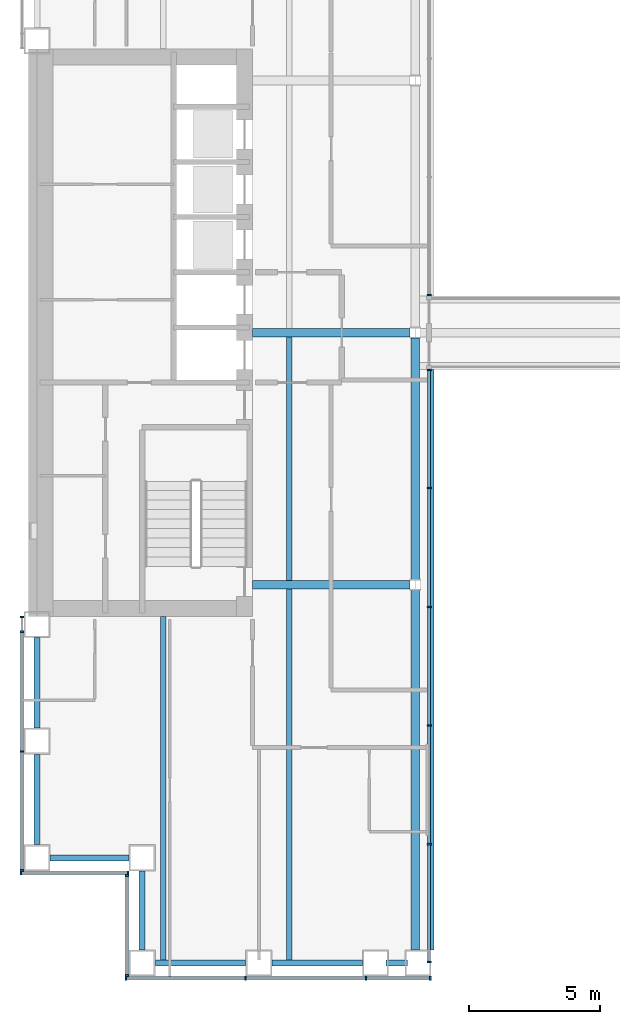
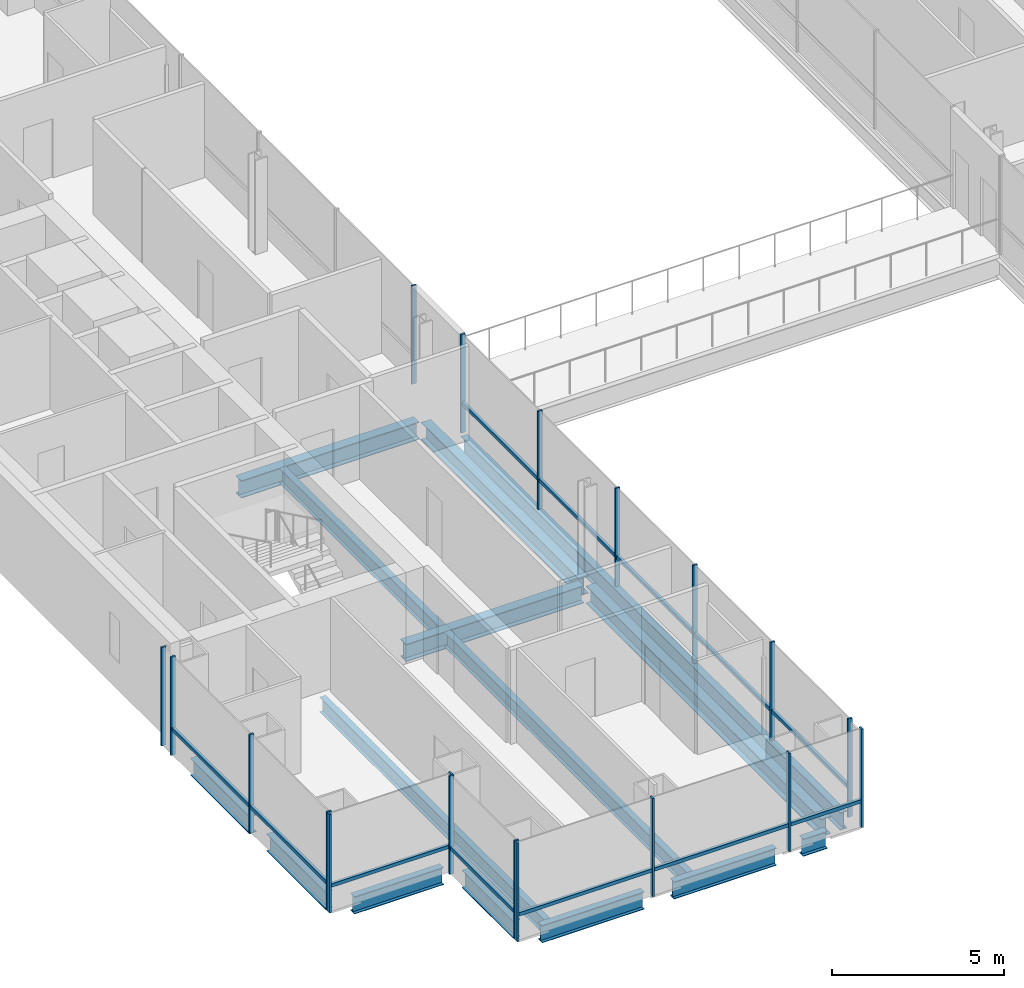
# One storey, part 2 of 19: 31 members, 15 beams, 6 elements without a shape of their own.
"""IFC4 building model written with IfcOpenShell, lengths in metres."""

from ifc_helpers import new_model, si_unit, direction, frame, origin, origin_2d, place, context, subcontext, project, spatial, rectangle, i_section, extrude, material, material_profile, profile_set, type_object, element, aggregate, save


model = new_model("IFC4")

# Units and contexts
model_context = context("Model", 3, precision=1e-05, world=origin(), true_north=direction((0.0, 1.0)))
body_context = subcontext(model_context, "Body", "Model", "MODEL_VIEW")
ifc_project = project(units=[si_unit("LENGTHUNIT", "METRE"), si_unit("AREAUNIT", "SQUARE_METRE"), si_unit("VOLUMEUNIT", "CUBIC_METRE"), si_unit("PLANEANGLEUNIT", "RADIAN"), si_unit("MASSUNIT", "GRAM", prefix="KILO")], contexts=[model_context])

# Site, building, storey
site_placement = place(None, origin())
site = spatial("IfcSite", under=ifc_project, at=site_placement, CompositionType="ELEMENT")
building_placement = place(site_placement, origin())
building = spatial("IfcBuilding", under=site, at=building_placement, Name="Cobrizo Arcos Hotel Tower", CompositionType="ELEMENT")
storey_placement = place(building_placement, frame((0.0, 0.0, 63.5)))
storey = spatial("IfcBuildingStorey", under=building, at=storey_placement, Name="L14", CompositionType="ELEMENT", Elevation=63.5)

# Curtain wall, members
ifc_material_1 = material(Name="Aluminium 6063-T6 anodised bronze", Category="aluminium")
curtain_wall_type_1 = type_object("IfcCurtainWallType", Name="CW-A guest facade", PredefinedType="NOTDEFINED", material=ifc_material_1)
curtain_wall_1_placement = place(storey_placement, origin())
curtain_wall_1 = element("IfcCurtainWall", 1, at=curtain_wall_1_placement, inside=storey, type_object=curtain_wall_type_1, Name="CW-A L14 S face", PredefinedType="NOTDEFINED")
ifc_material_profile_1 = material_profile(ifc_material_1, rectangle(XDim=0.14990234375, YDim=0.06005859375, at=origin_2d()), Name="CW-A mullion 150x60")
ifc_profile_set_1 = profile_set([ifc_material_profile_1], Name="Aluminium 6063-T6 anodised bronze")
member_type_1 = type_object("IfcMemberType", Name="CW-A mullion 150x60", PredefinedType="MULLION", material=ifc_profile_set_1)
member_1_placement = place(storey_placement, frame((-20.6201171875, -24.574951171875, 0.0), z_axis=(0.0, 0.0, 1.0), x_axis=(0.0, -1.0, 0.0)))
member_1 = element("IfcMember", 2, at=member_1_placement, type_object=member_type_1, Name="CW-A mullion 1", PredefinedType="MULLION", context=body_context, shape_type="SweptSolid", body=[
    extrude(rectangle(XDim=0.14990234375, YDim=0.06005859375, at=origin_2d()), origin(), (0.0, 0.0, 1.0), 3.5),
])
member_2_placement = place(storey_placement, frame((-16.06103515625, -24.574951171875, 0.0), z_axis=(0.0, 0.0, 1.0), x_axis=(0.0, -1.0, 0.0)))
member_2 = element("IfcMember", 3, at=member_2_placement, type_object=member_type_1, Name="CW-A mullion 2", PredefinedType="MULLION", context=body_context, shape_type="SweptSolid", body=[
    extrude(rectangle(XDim=0.14990234375, YDim=0.06005859375, at=origin_2d()), origin(), (0.0, 0.0, 1.0), 3.5),
])
member_3_placement = place(storey_placement, frame((-11.47216796875, -24.574951171875, 0.0), z_axis=(0.0, 0.0, 1.0), x_axis=(0.0, -1.0, 0.0)))
member_3 = element("IfcMember", 4, at=member_3_placement, type_object=member_type_1, Name="CW-A mullion 3", PredefinedType="MULLION", context=body_context, shape_type="SweptSolid", body=[
    extrude(rectangle(XDim=0.14990234375, YDim=0.06005859375, at=origin_2d()), origin(), (0.0, 0.0, 1.0), 3.5),
])
member_4_placement = place(storey_placement, frame((-9.030029296875, -24.574951171875, 0.0), z_axis=(0.0, 0.0, 1.0), x_axis=(0.0, -1.0, 0.0)))
member_4 = element("IfcMember", 5, at=member_4_placement, type_object=member_type_1, Name="CW-A mullion 4", PredefinedType="MULLION", context=body_context, shape_type="SweptSolid", body=[
    extrude(rectangle(XDim=0.14990234375, YDim=0.06005859375, at=origin_2d()), origin(), (0.0, 0.0, 1.0), 3.5),
])

curtain_wall_2_placement = place(storey_placement, origin())
curtain_wall_2 = element("IfcCurtainWall", 6, at=curtain_wall_2_placement, inside=storey, type_object=curtain_wall_type_1, Name="CW-A L14 W face", PredefinedType="NOTDEFINED")
member_5_placement = place(storey_placement, frame((-24.574951171875, -10.830078125, 0.0), z_axis=(0.0, 0.0, 1.0), x_axis=(-1.0, 0.0, 0.0)))
member_5 = element("IfcMember", 7, at=member_5_placement, type_object=member_type_1, Name="CW-A mullion 1", PredefinedType="MULLION", context=body_context, shape_type="SweptSolid", body=[
    extrude(rectangle(XDim=0.14990234375, YDim=0.06005859375, at=origin_2d()), origin(), (0.0, 0.0, 1.0), 3.5),
])
member_6_placement = place(storey_placement, frame((-24.574951171875, -11.388916015625, 0.0), z_axis=(0.0, 0.0, 1.0), x_axis=(-1.0, 0.0, 0.0)))
member_6 = element("IfcMember", 8, at=member_6_placement, type_object=member_type_1, Name="CW-A mullion 2", PredefinedType="MULLION", context=body_context, shape_type="SweptSolid", body=[
    extrude(rectangle(XDim=0.14990234375, YDim=0.06005859375, at=origin_2d()), origin(), (0.0, 0.0, 1.0), 3.5),
])
member_7_placement = place(storey_placement, frame((-24.574951171875, -15.9443359375, 0.0), z_axis=(0.0, 0.0, 1.0), x_axis=(-1.0, 0.0, 0.0)))
member_7 = element("IfcMember", 9, at=member_7_placement, type_object=member_type_1, Name="CW-A mullion 3", PredefinedType="MULLION", context=body_context, shape_type="SweptSolid", body=[
    extrude(rectangle(XDim=0.14990234375, YDim=0.06005859375, at=origin_2d()), origin(), (0.0, 0.0, 1.0), 3.5),
])
member_8_placement = place(storey_placement, frame((-24.574951171875, -20.469970703125, 0.0), z_axis=(0.0, 0.0, 1.0), x_axis=(-1.0, 0.0, 0.0)))
member_8 = element("IfcMember", 10, at=member_8_placement, type_object=member_type_1, Name="CW-A mullion 4", PredefinedType="MULLION", context=body_context, shape_type="SweptSolid", body=[
    extrude(rectangle(XDim=0.14990234375, YDim=0.06005859375, at=origin_2d()), origin(), (0.0, 0.0, 1.0), 3.5),
])

curtain_wall_3_placement = place(storey_placement, origin())
curtain_wall_3 = element("IfcCurtainWall", 11, at=curtain_wall_3_placement, inside=storey, type_object=curtain_wall_type_1, Name="CW-A L14 S face", PredefinedType="NOTDEFINED")
member_9_placement = place(storey_placement, frame((-24.6201171875, -20.574951171875, 0.0), z_axis=(0.0, 0.0, 1.0), x_axis=(0.0, -1.0, 0.0)))
member_9 = element("IfcMember", 12, at=member_9_placement, type_object=member_type_1, Name="CW-A mullion 1", PredefinedType="MULLION", context=body_context, shape_type="SweptSolid", body=[
    extrude(rectangle(XDim=0.14990234375, YDim=0.06005859375, at=origin_2d()), origin(), (0.0, 0.0, 1.0), 3.5),
])
member_10_placement = place(storey_placement, frame((-20.530029296875, -20.574951171875, 0.0), z_axis=(0.0, 0.0, 1.0), x_axis=(0.0, -1.0, 0.0)))
member_10 = element("IfcMember", 13, at=member_10_placement, type_object=member_type_1, Name="CW-A mullion 2", PredefinedType="MULLION", context=body_context, shape_type="SweptSolid", body=[
    extrude(rectangle(XDim=0.14990234375, YDim=0.06005859375, at=origin_2d()), origin(), (0.0, 0.0, 1.0), 3.5),
])

curtain_wall_4_placement = place(storey_placement, origin())
curtain_wall_4 = element("IfcCurtainWall", 14, at=curtain_wall_4_placement, inside=storey, type_object=curtain_wall_type_1, Name="CW-A L14 W face", PredefinedType="NOTDEFINED")
member_11_placement = place(storey_placement, frame((-20.574951171875, -20.679931640625, 0.0), z_axis=(0.0, 0.0, 1.0), x_axis=(-1.0, 0.0, 0.0)))
member_11 = element("IfcMember", 15, at=member_11_placement, type_object=member_type_1, Name="CW-A mullion 1", PredefinedType="MULLION", context=body_context, shape_type="SweptSolid", body=[
    extrude(rectangle(XDim=0.14990234375, YDim=0.06005859375, at=origin_2d()), origin(), (0.0, 0.0, 1.0), 3.5),
])
member_12_placement = place(storey_placement, frame((-20.574951171875, -24.469970703125, 0.0), z_axis=(0.0, 0.0, 1.0), x_axis=(-1.0, 0.0, 0.0)))
member_12 = element("IfcMember", 16, at=member_12_placement, type_object=member_type_1, Name="CW-A mullion 2", PredefinedType="MULLION", context=body_context, shape_type="SweptSolid", body=[
    extrude(rectangle(XDim=0.14990234375, YDim=0.06005859375, at=origin_2d()), origin(), (0.0, 0.0, 1.0), 3.5),
])

# Member
ifc_material_profile_2 = material_profile(ifc_material_1, rectangle(XDim=0.10009765625, YDim=0.1201171875, at=origin_2d()), Name="CW-A transom 120x100")
ifc_profile_set_2 = profile_set([ifc_material_profile_2], Name="Aluminium 6063-T6 anodised bronze")
member_type_2 = type_object("IfcMemberType", Name="CW-A transom 120x100", PredefinedType="USERDEFINED", material=ifc_profile_set_2)
member_13_placement = place(storey_placement, frame((-20.590087890625, -24.574951171875, 0.929931640625), z_axis=(1.0, 0.0, 0.0), x_axis=(0.0, 1.0, 0.0)))
member_13 = element("IfcMember", 17, at=member_13_placement, type_object=member_type_2, Name="CW-A transom 621", ObjectType="TRANSOM", PredefinedType="USERDEFINED", context=body_context, shape_type="SweptSolid", body=[
    extrude(rectangle(XDim=0.10009765625, YDim=0.1201171875, at=origin_2d()), origin(), (0.0, 0.0, 1.0), 4.4990234375),
])

member_14_placement = place(storey_placement, frame((-16.031005859375, -24.574951171875, 0.929931640625), z_axis=(1.0, 0.0, 0.0), x_axis=(0.0, 1.0, 0.0)))
member_14 = element("IfcMember", 18, at=member_14_placement, type_object=member_type_2, Name="CW-A transom 622", ObjectType="TRANSOM", PredefinedType="USERDEFINED", context=body_context, shape_type="SweptSolid", body=[
    extrude(rectangle(XDim=0.10009765625, YDim=0.1201171875, at=origin_2d()), origin(), (0.0, 0.0, 1.0), 4.52880859375),
])

member_15_placement = place(storey_placement, frame((-11.442138671875, -24.574951171875, 0.929931640625), z_axis=(1.0, 0.0, 0.0), x_axis=(0.0, 1.0, 0.0)))
member_15 = element("IfcMember", 19, at=member_15_placement, type_object=member_type_2, Name="CW-A transom 623", ObjectType="TRANSOM", PredefinedType="USERDEFINED", context=body_context, shape_type="SweptSolid", body=[
    extrude(rectangle(XDim=0.10009765625, YDim=0.1201171875, at=origin_2d()), origin(), (0.0, 0.0, 1.0), 2.382080078125),
])

aggregate(curtain_wall_1, [member_1, member_2, member_3, member_4, member_13, member_14, member_15])

member_16_placement = place(storey_placement, frame((-24.574951171875, -11.4189453125, 0.929931640625), z_axis=(0.0, -1.0, 0.0), x_axis=(1.0, 0.0, 0.0)))
member_16 = element("IfcMember", 20, at=member_16_placement, type_object=member_type_2, Name="CW-A transom 649", ObjectType="TRANSOM", PredefinedType="USERDEFINED", context=body_context, shape_type="SweptSolid", body=[
    extrude(rectangle(XDim=0.10009765625, YDim=0.1201171875, at=origin_2d()), origin(), (0.0, 0.0, 1.0), 4.49560546875),
])

member_17_placement = place(storey_placement, frame((-24.574951171875, -15.974365234375, 0.929931640625), z_axis=(0.0, -1.0, 0.0), x_axis=(1.0, 0.0, 0.0)))
member_17 = element("IfcMember", 21, at=member_17_placement, type_object=member_type_2, Name="CW-A transom 650", ObjectType="TRANSOM", PredefinedType="USERDEFINED", context=body_context, shape_type="SweptSolid", body=[
    extrude(rectangle(XDim=0.10009765625, YDim=0.1201171875, at=origin_2d()), origin(), (0.0, 0.0, 1.0), 4.465576171875),
])

aggregate(curtain_wall_2, [member_5, member_6, member_7, member_8, member_16, member_17])

member_18_placement = place(storey_placement, frame((-24.590087890625, -20.574951171875, 0.929931640625), z_axis=(1.0, 0.0, 0.0), x_axis=(0.0, 1.0, 0.0)))
member_18 = element("IfcMember", 22, at=member_18_placement, type_object=member_type_2, Name="CW-A transom 651", ObjectType="TRANSOM", PredefinedType="USERDEFINED", context=body_context, shape_type="SweptSolid", body=[
    extrude(rectangle(XDim=0.10009765625, YDim=0.1201171875, at=origin_2d()), origin(), (0.0, 0.0, 1.0), 4.030029296875),
])

aggregate(curtain_wall_3, [member_9, member_10, member_18])

member_19_placement = place(storey_placement, frame((-20.574951171875, -20.7099609375, 0.929931640625), z_axis=(0.0, -1.0, 0.0), x_axis=(1.0, 0.0, 0.0)))
member_19 = element("IfcMember", 23, at=member_19_placement, type_object=member_type_2, Name="CW-A transom 652", ObjectType="TRANSOM", PredefinedType="USERDEFINED", context=body_context, shape_type="SweptSolid", body=[
    extrude(rectangle(XDim=0.10009765625, YDim=0.1201171875, at=origin_2d()), origin(), (0.0, 0.0, 1.0), 3.72998046875),
])

aggregate(curtain_wall_4, [member_11, member_12, member_19])

# Curtain wall, member
curtain_wall_type_2 = type_object("IfcCurtainWallType", Name="CW-F void screen", PredefinedType="NOTDEFINED", material=ifc_material_1)
curtain_wall_5_placement = place(storey_placement, origin())
curtain_wall_5 = element("IfcCurtainWall", 24, at=curtain_wall_5_placement, inside=storey, type_object=curtain_wall_type_2, Name="CW-F L14 void screen A", PredefinedType="NOTDEFINED")
ifc_material_profile_3 = material_profile(ifc_material_1, rectangle(XDim=0.14990234375, YDim=0.06005859375, at=origin_2d()), Name="CW-F mullion 150x60")
ifc_profile_set_3 = profile_set([ifc_material_profile_3], Name="Aluminium 6063-T6 anodised bronze")
member_type_3 = type_object("IfcMemberType", Name="CW-F mullion 150x60", PredefinedType="MULLION", material=ifc_profile_set_3)
member_20_placement = place(storey_placement, frame((-9.074951171875, 1.429931640625, 0.0), z_axis=(0.0, 0.0, 1.0), x_axis=(-1.0, 0.0, 0.0)))
member_20 = element("IfcMember", 25, at=member_20_placement, type_object=member_type_3, Name="CW-F mullion 6", PredefinedType="MULLION", context=body_context, shape_type="SweptSolid", body=[
    extrude(rectangle(XDim=0.14990234375, YDim=0.06005859375, at=origin_2d()), origin(), (0.0, 0.0, 1.0), 3.5),
])
aggregate(curtain_wall_5, [member_20])

# Curtain wall, members
curtain_wall_6_placement = place(storey_placement, origin())
curtain_wall_6 = element("IfcCurtainWall", 26, at=curtain_wall_6_placement, inside=storey, type_object=curtain_wall_type_2, Name="CW-F L14 void screen A", PredefinedType="NOTDEFINED")
member_21_placement = place(storey_placement, frame((-9.074951171875, -1.429931640625, 0.0), z_axis=(0.0, 0.0, 1.0), x_axis=(-1.0, 0.0, 0.0)))
member_21 = element("IfcMember", 27, at=member_21_placement, type_object=member_type_3, Name="CW-F mullion 1", PredefinedType="MULLION", context=body_context, shape_type="SweptSolid", body=[
    extrude(rectangle(XDim=0.14990234375, YDim=0.06005859375, at=origin_2d()), origin(), (0.0, 0.0, 1.0), 3.5),
])
member_22_placement = place(storey_placement, frame((-9.074951171875, -5.919921875, 0.0), z_axis=(0.0, 0.0, 1.0), x_axis=(-1.0, 0.0, 0.0)))
member_22 = element("IfcMember", 28, at=member_22_placement, type_object=member_type_3, Name="CW-F mullion 2", PredefinedType="MULLION", context=body_context, shape_type="SweptSolid", body=[
    extrude(rectangle(XDim=0.14990234375, YDim=0.06005859375, at=origin_2d()), origin(), (0.0, 0.0, 1.0), 3.5),
])
member_23_placement = place(storey_placement, frame((-9.074951171875, -10.43994140625, 0.0), z_axis=(0.0, 0.0, 1.0), x_axis=(-1.0, 0.0, 0.0)))
member_23 = element("IfcMember", 29, at=member_23_placement, type_object=member_type_3, Name="CW-F mullion 3", PredefinedType="MULLION", context=body_context, shape_type="SweptSolid", body=[
    extrude(rectangle(XDim=0.14990234375, YDim=0.06005859375, at=origin_2d()), origin(), (0.0, 0.0, 1.0), 3.5),
])
member_24_placement = place(storey_placement, frame((-9.074951171875, -14.9599609375, 0.0), z_axis=(0.0, 0.0, 1.0), x_axis=(-1.0, 0.0, 0.0)))
member_24 = element("IfcMember", 30, at=member_24_placement, type_object=member_type_3, Name="CW-F mullion 4", PredefinedType="MULLION", context=body_context, shape_type="SweptSolid", body=[
    extrude(rectangle(XDim=0.14990234375, YDim=0.06005859375, at=origin_2d()), origin(), (0.0, 0.0, 1.0), 3.5),
])
member_25_placement = place(storey_placement, frame((-9.074951171875, -19.47998046875, 0.0), z_axis=(0.0, 0.0, 1.0), x_axis=(-1.0, 0.0, 0.0)))
member_25 = element("IfcMember", 31, at=member_25_placement, type_object=member_type_3, Name="CW-F mullion 5", PredefinedType="MULLION", context=body_context, shape_type="SweptSolid", body=[
    extrude(rectangle(XDim=0.14990234375, YDim=0.06005859375, at=origin_2d()), origin(), (0.0, 0.0, 1.0), 3.5),
])
member_26_placement = place(storey_placement, frame((-9.074951171875, -23.969970703125, 0.0), z_axis=(0.0, 0.0, 1.0), x_axis=(-1.0, 0.0, 0.0)))
member_26 = element("IfcMember", 32, at=member_26_placement, type_object=member_type_3, Name="CW-F mullion 6", PredefinedType="MULLION", context=body_context, shape_type="SweptSolid", body=[
    extrude(rectangle(XDim=0.14990234375, YDim=0.06005859375, at=origin_2d()), origin(), (0.0, 0.0, 1.0), 3.5),
])
ifc_material_profile_4 = material_profile(ifc_material_1, rectangle(XDim=0.10009765625, YDim=0.1201171875, at=origin_2d()), Name="CW-F transom 120x100")
ifc_profile_set_4 = profile_set([ifc_material_profile_4], Name="Aluminium 6063-T6 anodised bronze")
member_type_4 = type_object("IfcMemberType", Name="CW-F transom 120x100", PredefinedType="USERDEFINED", material=ifc_profile_set_4)
member_27_placement = place(storey_placement, frame((-9.074951171875, -1.4599609375, 1.050048828125), z_axis=(0.0, -1.0, 0.0), x_axis=(1.0, 0.0, 0.0)))
member_27 = element("IfcMember", 33, at=member_27_placement, type_object=member_type_4, Name="CW-F transom 2463", ObjectType="TRANSOM", PredefinedType="USERDEFINED", context=body_context, shape_type="SweptSolid", body=[
    extrude(rectangle(XDim=0.10009765625, YDim=0.1201171875, at=origin_2d()), origin(), (0.0, 0.0, 1.0), 4.429931640625),
])
member_28_placement = place(storey_placement, frame((-9.074951171875, -5.949951171875, 1.050048828125), z_axis=(0.0, -1.0, 0.0), x_axis=(1.0, 0.0, 0.0)))
member_28 = element("IfcMember", 34, at=member_28_placement, type_object=member_type_4, Name="CW-F transom 2464", ObjectType="TRANSOM", PredefinedType="USERDEFINED", context=body_context, shape_type="SweptSolid", body=[
    extrude(rectangle(XDim=0.10009765625, YDim=0.1201171875, at=origin_2d()), origin(), (0.0, 0.0, 1.0), 4.4599609375),
])
member_29_placement = place(storey_placement, frame((-9.074951171875, -10.469970703125, 1.050048828125), z_axis=(0.0, -1.0, 0.0), x_axis=(1.0, 0.0, 0.0)))
member_29 = element("IfcMember", 35, at=member_29_placement, type_object=member_type_4, Name="CW-F transom 2465", ObjectType="TRANSOM", PredefinedType="USERDEFINED", context=body_context, shape_type="SweptSolid", body=[
    extrude(rectangle(XDim=0.10009765625, YDim=0.1201171875, at=origin_2d()), origin(), (0.0, 0.0, 1.0), 4.4599609375),
])
member_30_placement = place(storey_placement, frame((-9.074951171875, -14.989990234375, 1.050048828125), z_axis=(0.0, -1.0, 0.0), x_axis=(1.0, 0.0, 0.0)))
member_30 = element("IfcMember", 36, at=member_30_placement, type_object=member_type_4, Name="CW-F transom 2466", ObjectType="TRANSOM", PredefinedType="USERDEFINED", context=body_context, shape_type="SweptSolid", body=[
    extrude(rectangle(XDim=0.10009765625, YDim=0.1201171875, at=origin_2d()), origin(), (0.0, 0.0, 1.0), 4.4599609375),
])
member_31_placement = place(storey_placement, frame((-9.074951171875, -19.510009765625, 1.050048828125), z_axis=(0.0, -1.0, 0.0), x_axis=(1.0, 0.0, 0.0)))
member_31 = element("IfcMember", 37, at=member_31_placement, type_object=member_type_4, Name="CW-F transom 2467", ObjectType="TRANSOM", PredefinedType="USERDEFINED", context=body_context, shape_type="SweptSolid", body=[
    extrude(rectangle(XDim=0.10009765625, YDim=0.1201171875, at=origin_2d()), origin(), (0.0, 0.0, 1.0), 4.429931640625),
])
aggregate(curtain_wall_6, [member_21, member_22, member_23, member_24, member_25, member_26, member_27, member_28, member_29, member_30, member_31])

# Beams
ifc_material_2 = material(Name="Steel ASTM A992 Grade 50", Category="steel")
ifc_material_profile_5 = material_profile(ifc_material_2, i_section(OverallWidth=0.209228515625, OverallDepth=0.533447265625, WebThickness=0.01025390625, FlangeThickness=0.015625, at=origin_2d()), Name="W21X62")
ifc_profile_set_5 = profile_set([ifc_material_profile_5], Name="Steel ASTM A992 Grade 50")
beam_type_1 = type_object("IfcBeamType", Name="W21X62 joist", PredefinedType="JOIST", material=ifc_profile_set_5)
beam_1_placement = place(storey_placement, frame((-19.199951171875, -23.909912109375, -0.416748046875), z_axis=(0.0, 1.0, 0.0), x_axis=(-1.0, 0.0, 0.0)))
element("IfcBeam", 38, at=beam_1_placement, inside=storey, type_object=beam_type_1, Name="Floor joist J1, L14, no. 001", PredefinedType="JOIST", context=body_context, shape_type="SweptSolid", body=[
    extrude(i_section(OverallWidth=0.209228515625, OverallDepth=0.533447265625, WebThickness=0.01025390625, FlangeThickness=0.015625, at=origin_2d()), origin(), (0.0, 0.0, 1.0), 13.099853515625),
])
beam_2_placement = place(storey_placement, frame((-14.39990234375, -23.909912109375, -0.416748046875), z_axis=(0.0, 1.0, 0.0), x_axis=(-1.0, 0.0, 0.0)))
element("IfcBeam", 39, at=beam_2_placement, inside=storey, type_object=beam_type_1, Name="Floor joist J1, L14, no. 003", PredefinedType="JOIST", context=body_context, shape_type="SweptSolid", body=[
    extrude(i_section(OverallWidth=0.209228515625, OverallDepth=0.533447265625, WebThickness=0.01025390625, FlangeThickness=0.015625, at=origin_2d()), origin(), (0.0, 0.0, 1.0), 14.14599609375),
])
beam_3_placement = place(storey_placement, frame((-14.39990234375, -9.43603515625, -0.416748046875), z_axis=(0.0, 1.0, 0.0), x_axis=(-1.0, 0.0, 0.0)))
element("IfcBeam", 40, at=beam_3_placement, inside=storey, type_object=beam_type_1, Name="Floor joist J1, L14, no. 004", PredefinedType="JOIST", context=body_context, shape_type="SweptSolid", body=[
    extrude(i_section(OverallWidth=0.209228515625, OverallDepth=0.533447265625, WebThickness=0.01025390625, FlangeThickness=0.015625, at=origin_2d()), origin(), (0.0, 0.0, 1.0), 9.272216796875),
])
ifc_material_profile_6 = material_profile(ifc_material_2, i_section(OverallWidth=0.32763671875, OverallDepth=0.622314453125, WebThickness=0.015380859375, FlangeThickness=0.0244140625, at=origin_2d()), Name="W24X131")
ifc_profile_set_6 = profile_set([ifc_material_profile_6], Name="Steel ASTM A992 Grade 50")
beam_type_2 = type_object("IfcBeamType", Name="W24X131 girder", PredefinedType="BEAM", material=ifc_profile_set_6)
for number, where, z_axis, x_axis, name in (
    (41, (-15.7900390625, -9.60009765625, -0.461181640625), (1.0, 0.0, 0.0), (0.0, 1.0, 0.0), "Floor girder G1, L14, no. 001"),
    (42, (-15.7900390625, 0.0, -0.461181640625), (1.0, 0.0, 0.0), (0.0, 1.0, 0.0), "Floor girder G1, L14, no. 003"),
):
    element("IfcBeam", number, at=place(storey_placement, frame(where, z_axis=z_axis, x_axis=x_axis)), inside=storey, type_object=beam_type_2, Name=name, PredefinedType="BEAM", context=body_context, shape_type="SweptSolid", body=[
        extrude(i_section(OverallWidth=0.32763671875, OverallDepth=0.622314453125, WebThickness=0.015380859375, FlangeThickness=0.0244140625, at=origin_2d()), origin(), (0.0, 0.0, 1.0), 5.985595703125),
    ])
beam_4_placement = place(storey_placement, frame((-9.60009765625, -23.5, -0.461181640625), z_axis=(0.0, 1.0, 0.0), x_axis=(-1.0, 0.0, 0.0)))
element("IfcBeam", 43, at=beam_4_placement, inside=storey, type_object=beam_type_2, Name="Floor girder G1, L14, no. 008", PredefinedType="BEAM", context=body_context, shape_type="SweptSolid", body=[
    extrude(i_section(OverallWidth=0.32763671875, OverallDepth=0.622314453125, WebThickness=0.015380859375, FlangeThickness=0.0244140625, at=origin_2d()), origin(), (0.0, 0.0, 1.0), 13.695556640625),
])
beam_5_placement = place(storey_placement, frame((-9.60009765625, -9.3955078125, -0.461181640625), z_axis=(0.0, 1.0, 0.0), x_axis=(-1.0, 0.0, 0.0)))
element("IfcBeam", 44, at=beam_5_placement, inside=storey, type_object=beam_type_2, Name="Floor girder G1, L14, no. 009", PredefinedType="BEAM", context=body_context, shape_type="SweptSolid", body=[
    extrude(i_section(OverallWidth=0.32763671875, OverallDepth=0.622314453125, WebThickness=0.015380859375, FlangeThickness=0.0244140625, at=origin_2d()), origin(), (0.0, 0.0, 1.0), 9.191162109375),
])
ifc_material_profile_7 = material_profile(ifc_material_2, i_section(OverallWidth=0.23046875, OverallDepth=0.6171875, WebThickness=0.01318359375, FlangeThickness=0.022216796875, at=origin_2d()), Name="W24X94")
ifc_profile_set_7 = profile_set([ifc_material_profile_7], Name="Steel ASTM A992 Grade 50")
beam_type_3 = type_object("IfcBeamType", Name="W24X94 spandrel", PredefinedType="SPANDREL", material=ifc_profile_set_7)
beam_6_placement = place(storey_placement, frame((-9.0, -1.39990234375, -0.45849609375), z_axis=(0.0, -1.0, 0.0), x_axis=(1.0, 0.0, 0.0)))
element("IfcBeam", 45, at=beam_6_placement, inside=storey, type_object=beam_type_3, Name="Spandrel beam W24X94, L14, no. 012", PredefinedType="SPANDREL", context=body_context, shape_type="SweptSolid", body=[
    extrude(i_section(OverallWidth=0.23046875, OverallDepth=0.6171875, WebThickness=0.01318359375, FlangeThickness=0.022216796875, at=origin_2d()), origin(), (0.0, 0.0, 1.0), 22.10009765625),
])
beam_7_placement = place(storey_placement, frame((-9.89990234375, -24.0, -0.45849609375), z_axis=(-1.0, 0.0, 0.0), x_axis=(0.0, -1.0, 0.0)))
element("IfcBeam", 46, at=beam_7_placement, inside=storey, type_object=beam_type_3, Name="Spandrel beam W24X94, L14, no. 013", PredefinedType="SPANDREL", context=body_context, shape_type="SweptSolid", body=[
    extrude(i_section(OverallWidth=0.23046875, OverallDepth=0.6171875, WebThickness=0.01318359375, FlangeThickness=0.022216796875, at=origin_2d()), origin(), (0.0, 0.0, 1.0), 0.81103515625),
])
beam_8_placement = place(storey_placement, frame((-11.611083984375, -24.0, -0.45849609375), z_axis=(-1.0, 0.0, 0.0), x_axis=(0.0, -1.0, 0.0)))
element("IfcBeam", 47, at=beam_8_placement, inside=storey, type_object=beam_type_3, Name="Spandrel beam W24X94, L14, no. 014", PredefinedType="SPANDREL", context=body_context, shape_type="SweptSolid", body=[
    extrude(i_section(OverallWidth=0.23046875, OverallDepth=0.6171875, WebThickness=0.01318359375, FlangeThickness=0.022216796875, at=origin_2d()), origin(), (0.0, 0.0, 1.0), 3.44482421875),
])
beam_9_placement = place(storey_placement, frame((-16.055908203125, -24.0, -0.45849609375), z_axis=(-1.0, 0.0, 0.0), x_axis=(0.0, -1.0, 0.0)))
element("IfcBeam", 48, at=beam_9_placement, inside=storey, type_object=beam_type_3, Name="Spandrel beam W24X94, L14, no. 015", PredefinedType="SPANDREL", context=body_context, shape_type="SweptSolid", body=[
    extrude(i_section(OverallWidth=0.23046875, OverallDepth=0.6171875, WebThickness=0.01318359375, FlangeThickness=0.022216796875, at=origin_2d()), origin(), (0.0, 0.0, 1.0), 3.444091796875),
])
for number, where, z_axis, x_axis, name in (
    (49, (-20.0, -23.5, -0.45849609375), (0.0, 1.0, 0.0), (-1.0, 0.0, 0.0), "Spandrel beam W24X94, L14, no. 016"),
    (50, (-20.5, -20.0, -0.45849609375), (-1.0, 0.0, 0.0), (0.0, -1.0, 0.0), "Spandrel beam W24X94, L14, no. 017"),
):
    element("IfcBeam", number, at=place(storey_placement, frame(where, z_axis=z_axis, x_axis=x_axis)), inside=storey, type_object=beam_type_3, Name=name, PredefinedType="SPANDREL", context=body_context, shape_type="SweptSolid", body=[
        extrude(i_section(OverallWidth=0.23046875, OverallDepth=0.6171875, WebThickness=0.01318359375, FlangeThickness=0.022216796875, at=origin_2d()), origin(), (0.0, 0.0, 1.0), 3.0),
    ])
beam_10_placement = place(storey_placement, frame((-24.0, -19.5, -0.45849609375), z_axis=(0.0, 1.0, 0.0), x_axis=(-1.0, 0.0, 0.0)))
element("IfcBeam", 51, at=beam_10_placement, inside=storey, type_object=beam_type_3, Name="Spandrel beam W24X94, L14, no. 018", PredefinedType="SPANDREL", context=body_context, shape_type="SweptSolid", body=[
    extrude(i_section(OverallWidth=0.23046875, OverallDepth=0.6171875, WebThickness=0.01318359375, FlangeThickness=0.022216796875, at=origin_2d()), origin(), (0.0, 0.0, 1.0), 3.444091796875),
])
beam_11_placement = place(storey_placement, frame((-24.0, -15.055908203125, -0.45849609375), z_axis=(0.0, 1.0, 0.0), x_axis=(-1.0, 0.0, 0.0)))
element("IfcBeam", 52, at=beam_11_placement, inside=storey, type_object=beam_type_3, Name="Spandrel beam W24X94, L14, no. 019", PredefinedType="SPANDREL", context=body_context, shape_type="SweptSolid", body=[
    extrude(i_section(OverallWidth=0.23046875, OverallDepth=0.6171875, WebThickness=0.01318359375, FlangeThickness=0.022216796875, at=origin_2d()), origin(), (0.0, 0.0, 1.0), 3.44482421875),
])

save(model, "model.ifc")
